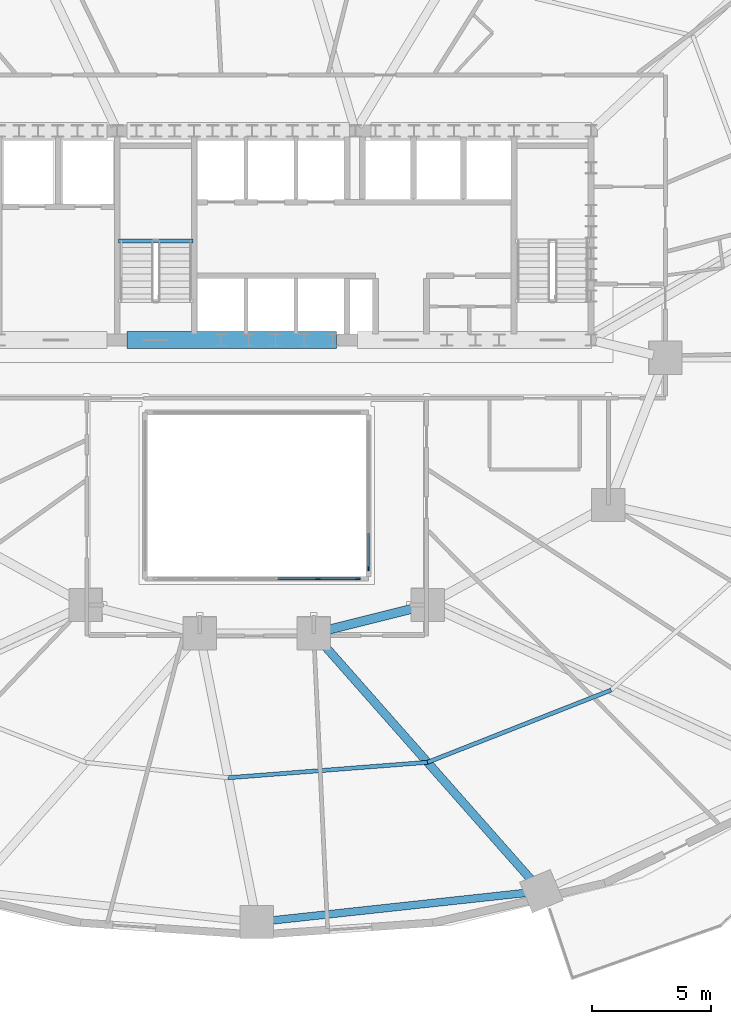
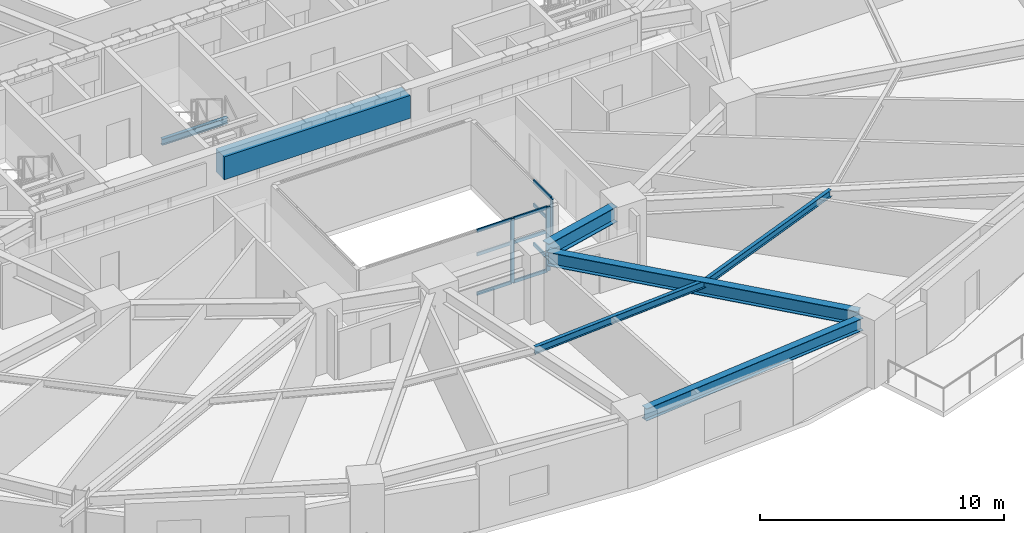
# One storey, part 5 of 17: 12 members, 7 beams, 2 elements without a shape of their own.
"""IFC4 building model written with IfcOpenShell, lengths in metres."""

import ifcopenshell
import ifcopenshell.guid

model = None  # the IFC model being written
_history = None  # IfcOwnerHistory: only IFC2X3 demands one
_inside = {}  # id of a spatial element -> (the spatial element, [elements in it])
_under = {}  # id of a project, library or spatial element -> (it, [spatial elements below it])
_declared = {}  # id of a project -> (the project, [libraries it declares])
_typed = {}  # id of a type object -> (the type object, [elements of that type])
_made_of = {}  # id of a material, layer set ... -> (it, [elements and type objects made of it])


def new_model(schema):
    """Start an empty IFC model of exactly this schema.

    Asked for "IFC4X3", IfcOpenShell would pick the latest addendum, in which some entities
    have other attributes; the version numbers below select the first issue.
    IFC2X3 requires an IfcOwnerHistory on every rooted entity: one is made here for all.
    """
    global model, _history
    if schema == "IFC4X3":
        model = ifcopenshell.file(schema_version=(4, 3, 0, 0))
    else:
        model = ifcopenshell.file(schema=schema)
    _inside.clear()
    _under.clear()
    _declared.clear()
    _typed.clear()
    _made_of.clear()
    _history = None
    if model.schema == "IFC2X3":
        org = make("IfcOrganization", Name="unknown")
        user = make(
            "IfcPersonAndOrganization",
            ThePerson=make("IfcPerson", FamilyName="unknown"),
            TheOrganization=org,
        )
        app = make(
            "IfcApplication",
            ApplicationDeveloper=org,
            Version="unknown",
            ApplicationFullName="unknown",
            ApplicationIdentifier="unknown",
        )
        _history = make(
            "IfcOwnerHistory",
            OwningUser=user,
            OwningApplication=app,
            ChangeAction="ADDED",
            CreationDate=0,
        )
    return model


def make(cls, **values):
    """One entity of the class cls with the attributes given. An attribute that is None is left unset."""
    return model.create_entity(
        cls, **{name: value for name, value in values.items() if value is not None}
    )


def rooted(cls, **values):
    """An entity with a GlobalId (a new one), such as an element, a storey or a relation."""
    return make(cls, GlobalId=ifcopenshell.guid.new(), OwnerHistory=_history, **values)


def si_unit(unit_type, name, prefix=None):
    """IfcSIUnit, for example si_unit("LENGTHUNIT", "METRE", prefix="MILLI")."""
    return make("IfcSIUnit", UnitType=unit_type, Prefix=prefix, Name=name)


def assignment(units):
    """IfcUnitAssignment: the units of a project."""
    return None if units is None else make("IfcUnitAssignment", Units=units)


def point(xyz):
    """IfcCartesianPoint."""
    return None if xyz is None else make("IfcCartesianPoint", Coordinates=xyz)


def direction(xyz):
    """IfcDirection."""
    return None if xyz is None else make("IfcDirection", DirectionRatios=xyz)


def frame(location, z_axis=None, x_axis=None):
    """IfcAxis2Placement3D, a coordinate frame: its origin and axes. An axis left out is left unset."""
    return make(
        "IfcAxis2Placement3D",
        Location=point(location),
        Axis=direction(z_axis),
        RefDirection=direction(x_axis),
    )


def frame_2d(location, x_axis=None):
    """IfcAxis2Placement2D, a coordinate frame in the plane: its origin and x axis."""
    return make(
        "IfcAxis2Placement2D", Location=point(location), RefDirection=direction(x_axis)
    )


def origin():
    """The frame at (0, 0, 0) with its axes left unset."""
    return frame((0.0, 0.0, 0.0))


def origin_2d():
    """The frame at (0, 0) in the plane with its x axis left unset."""
    return frame_2d((0.0, 0.0))


def place(relative_to, where):
    """IfcLocalPlacement: puts the frame where relative to a parent placement (None: the world)."""
    return make(
        "IfcLocalPlacement", PlacementRelTo=relative_to, RelativePlacement=where
    )


def context(
    kind, dimensions, precision=None, world=None, true_north=None, identifier=None
):
    """IfcGeometricRepresentationContext, for example the 3D "Model" context."""
    return make(
        "IfcGeometricRepresentationContext",
        ContextIdentifier=identifier,
        ContextType=kind,
        CoordinateSpaceDimension=dimensions,
        Precision=precision,
        WorldCoordinateSystem=world,
        TrueNorth=true_north,
    )


def subcontext(parent, identifier, kind, view, scale=None):
    """IfcGeometricRepresentationSubContext, for example "Body" below "Model"."""
    return make(
        "IfcGeometricRepresentationSubContext",
        ContextIdentifier=identifier,
        ContextType=kind,
        ParentContext=parent,
        TargetScale=scale,
        TargetView=view,
    )


def project(units=None, contexts=None):
    """IfcProject with its units and contexts."""
    return rooted(
        "IfcProject",
        Name="project",
        RepresentationContexts=contexts,
        UnitsInContext=assignment(units),
    )


def spatial(cls, under=None, at=None, **own):
    """A site, building, storey or space (cls), placed at a placement, below another one or the project."""
    s = rooted(cls, ObjectPlacement=at, **own)
    if under is not None:
        _under.setdefault(under.id(), (under, []))[1].append(s)
    return s


def profile(cls, at=None, kind="AREA", **sizes):
    """A parametric profile (cls). Its sizes go by their IFC names, for example OverallWidth=200.0."""
    return make(cls, ProfileType=kind, Position=at, **sizes)


def rectangle(**sizes):
    """IfcRectangleProfileDef."""
    return profile("IfcRectangleProfileDef", **sizes)


def i_section(**sizes):
    """IfcIShapeProfileDef."""
    return profile("IfcIShapeProfileDef", **sizes)


def extrude(swept, where, along, depth):
    """IfcExtrudedAreaSolid: the profile swept, set in the frame where, extruded along a direction by depth."""
    return make(
        "IfcExtrudedAreaSolid",
        SweptArea=swept,
        Position=where,
        ExtrudedDirection=direction(along),
        Depth=depth,
    )


def shape(context_of_items, identifier, shape_type, items):
    """IfcShapeRepresentation: the items that make up one representation, for example the "Body"."""
    return make(
        "IfcShapeRepresentation",
        ContextOfItems=context_of_items,
        RepresentationIdentifier=identifier,
        RepresentationType=shape_type,
        Items=items,
    )


def material(Name=None, Category=None):
    """IfcMaterial."""
    return make("IfcMaterial", Name=Name, Category=Category)


def material_profile(
    of_material, cross_section, Name=None, Category=None, Priority=None
):
    """IfcMaterialProfile: a cross section and its material."""
    return make(
        "IfcMaterialProfile",
        Name=Name,
        Material=of_material,
        Profile=cross_section,
        Priority=Priority,
        Category=Category,
    )


def profile_set(profiles, Name=None, composite=None):
    """IfcMaterialProfileSet."""
    return make(
        "IfcMaterialProfileSet",
        Name=Name,
        MaterialProfiles=profiles,
        CompositeProfile=composite,
    )


def made_of(thing, what):
    """Note that an element or type object is made of a material, layer set ...; save() writes the relation."""
    if what is not None:
        _made_of.setdefault(what.id(), (what, []))[1].append(thing)
    return thing


def type_object(cls, material=None, **own):
    """A type object (cls), such as IfcWallType, which elements share."""
    return made_of(rooted(cls, **own), material)


def element(
    cls,
    number,
    at=None,
    inside=None,
    cuts=None,
    type_object=None,
    material=None,
    context=None,
    identifier="Body",
    shape_type=None,
    held_by="IfcProductDefinitionShape",
    body=None,
    shapes=None,
    **own,
):
    """One element of the class cls, such as IfcWall. Its Tag is "e" and its number.

    at: its placement. inside: the storey or other place that contains it. cuts: it is an
    opening in that element (IfcRelVoidsElement). A single representation is given by context,
    identifier, shape_type and body (its items); several are given by shapes. held_by: the class
    of the entity that holds the representations. save() writes the other relations.
    """
    e = rooted(cls, Tag="e%d" % number, ObjectPlacement=at, **own)
    if body is not None:
        shapes = [shape(context, identifier, shape_type, body)]
    if shapes is not None:
        e.Representation = make(held_by, Representations=shapes)
    if inside is not None:
        _inside.setdefault(inside.id(), (inside, []))[1].append(e)
    if cuts is not None:
        rooted(
            "IfcRelVoidsElement", RelatingBuildingElement=cuts, RelatedOpeningElement=e
        )
    if type_object is not None:
        _typed.setdefault(type_object.id(), (type_object, []))[1].append(e)
    return made_of(e, material)


def aggregate(whole, parts):
    """IfcRelAggregates: a whole, such as a stair, and the parts it consists of."""
    return rooted("IfcRelAggregates", RelatingObject=whole, RelatedObjects=parts)


def save(model, path):
    """Write the relations noted so far, then the file.

    IfcRelAggregates (storeys below a building ...), IfcRelContainedInSpatialStructure (elements
    in a storey), IfcRelDefinesByType, IfcRelAssociatesMaterial and IfcRelDeclares: one each for
    every whole, place, type object, material and project.
    """
    for whole, parts in _under.values():
        aggregate(whole, parts)
    for where, things in _inside.values():
        rooted(
            "IfcRelContainedInSpatialStructure",
            RelatedElements=things,
            RelatingStructure=where,
        )
    for kind, things in _typed.values():
        rooted("IfcRelDefinesByType", RelatedObjects=things, RelatingType=kind)
    for what, things in _made_of.values():
        rooted("IfcRelAssociatesMaterial", RelatedObjects=things, RelatingMaterial=what)
    for by, libraries in _declared.values():
        rooted("IfcRelDeclares", RelatingContext=by, RelatedDefinitions=libraries)
    model.write(path)


model = new_model("IFC4")

# Units and contexts
model_context = context("Model", 3, precision=1e-05, world=origin(), true_north=direction((0.0, 1.0)))
body_context = subcontext(model_context, "Body", "Model", "MODEL_VIEW")
ifc_project = project(units=[si_unit("LENGTHUNIT", "METRE"), si_unit("AREAUNIT", "SQUARE_METRE"), si_unit("VOLUMEUNIT", "CUBIC_METRE"), si_unit("PLANEANGLEUNIT", "RADIAN"), si_unit("MASSUNIT", "GRAM", prefix="KILO")], contexts=[model_context])

# Site, building, storey
site_placement = place(None, origin())
site = spatial("IfcSite", under=ifc_project, at=site_placement, CompositionType="ELEMENT")
building_placement = place(site_placement, origin())
building = spatial("IfcBuilding", under=site, at=building_placement, Name="Haldorwick Loom Tower", CompositionType="ELEMENT")
storey_placement = place(building_placement, frame((0.0, 0.0, 37.800048828125)))
storey = spatial("IfcBuildingStorey", under=building, at=storey_placement, Name="L09", CompositionType="ELEMENT", Elevation=37.800048828125)

# Curtain wall, members
ifc_material_1 = material(Name="Thermally Broken Anodized Aluminium Curtain Wall Framing", Category="aluminium")
curtain_wall_type = type_object("IfcCurtainWallType", Name="ARC-CW-03", PredefinedType="NOTDEFINED", material=ifc_material_1)
curtain_wall_1_placement = place(storey_placement, origin())
curtain_wall_1 = element("IfcCurtainWall", 1, at=curtain_wall_1_placement, inside=storey, type_object=curtain_wall_type, Name="L09 Atrium Glazed Screen S", PredefinedType="NOTDEFINED")
ifc_material_profile_1 = material_profile(ifc_material_1, rectangle(XDim=0.06591796875, YDim=0.18505859375, at=origin_2d()), Name="ALU_MUL_66X185", Category="aluminium")
ifc_profile_set_1 = profile_set([ifc_material_profile_1], Name="Thermally Broken Anodized Aluminium Curtain Wall Framing")
member_type_1 = type_object("IfcMemberType", Name="ARC-CWM-03", PredefinedType="MULLION", material=ifc_profile_set_1)
member_1_placement = place(storey_placement, frame((40.26708984375, 16.699951171875, 0.0), z_axis=(0.0, 0.0, 1.0), x_axis=(0.0, -1.0, 0.0)))
member_1 = element("IfcMember", 2, at=member_1_placement, type_object=member_type_1, Name="CW-03 mullion 1", PredefinedType="MULLION", context=body_context, shape_type="SweptSolid", body=[
    extrude(rectangle(XDim=0.06591796875, YDim=0.18505859375, at=origin_2d()), origin(), (0.0, 0.0, 1.0), 3.2099609375),
])
member_2_placement = place(storey_placement, frame((38.580078125, 16.699951171875, 0.0), z_axis=(0.0, 0.0, 1.0), x_axis=(0.0, -1.0, 0.0)))
member_2 = element("IfcMember", 3, at=member_2_placement, type_object=member_type_1, Name="CW-03 mullion 2", PredefinedType="MULLION", context=body_context, shape_type="SweptSolid", body=[
    extrude(rectangle(XDim=0.06591796875, YDim=0.18505859375, at=origin_2d()), origin(), (0.0, 0.0, 1.0), 3.2099609375),
])

# Curtain wall, member
curtain_wall_2_placement = place(storey_placement, origin())
curtain_wall_2 = element("IfcCurtainWall", 4, at=curtain_wall_2_placement, inside=storey, type_object=curtain_wall_type, Name="L09 Atrium Glazed Screen E", PredefinedType="NOTDEFINED")
member_3_placement = place(storey_placement, frame((40.699951171875, 17.133056640625, 0.0), z_axis=(0.0, 0.0, 1.0), x_axis=(1.0, 0.0, 0.0)))
member_3 = element("IfcMember", 5, at=member_3_placement, type_object=member_type_1, Name="CW-03 mullion 5", PredefinedType="MULLION", context=body_context, shape_type="SweptSolid", body=[
    extrude(rectangle(XDim=0.06591796875, YDim=0.18505859375, at=origin_2d()), origin(), (0.0, 0.0, 1.0), 3.2099609375),
])

# Member
ifc_material_profile_2 = material_profile(ifc_material_1, rectangle(XDim=0.06591796875, YDim=0.1650390625, at=origin_2d()), Name="ALU_TRN_66X165", Category="aluminium")
ifc_profile_set_2 = profile_set([ifc_material_profile_2], Name="Thermally Broken Anodized Aluminium Curtain Wall Framing")
member_type_2 = type_object("IfcMemberType", Name="ARC-CWT-03", PredefinedType="USERDEFINED", material=ifc_profile_set_2)
member_4_placement = place(storey_placement, frame((40.23388671875, 16.699951171875, 0.032958984375), z_axis=(-1.0, 0.0, 0.0), x_axis=(0.0, -1.0, 0.0)))
member_4 = element("IfcMember", 6, at=member_4_placement, type_object=member_type_2, Name="CW-03 transom 1.1", ObjectType="TRANSOM", PredefinedType="USERDEFINED", context=body_context, shape_type="SweptSolid", body=[
    extrude(rectangle(XDim=0.06591796875, YDim=0.1650390625, at=origin_2d()), origin(), (0.0, 0.0, 1.0), 1.620849609375),
])

member_5_placement = place(storey_placement, frame((40.23388671875, 16.699951171875, 2.0), z_axis=(-1.0, 0.0, 0.0), x_axis=(0.0, -1.0, 0.0)))
member_5 = element("IfcMember", 7, at=member_5_placement, type_object=member_type_2, Name="CW-03 transom 1.2", ObjectType="TRANSOM", PredefinedType="USERDEFINED", context=body_context, shape_type="SweptSolid", body=[
    extrude(rectangle(XDim=0.06591796875, YDim=0.1650390625, at=origin_2d()), origin(), (0.0, 0.0, 1.0), 1.620849609375),
])

member_6_placement = place(storey_placement, frame((40.23388671875, 16.699951171875, 3.177001953125), z_axis=(-1.0, 0.0, 0.0), x_axis=(0.0, -1.0, 0.0)))
member_6 = element("IfcMember", 8, at=member_6_placement, type_object=member_type_2, Name="CW-03 transom 1.3", ObjectType="TRANSOM", PredefinedType="USERDEFINED", context=body_context, shape_type="SweptSolid", body=[
    extrude(rectangle(XDim=0.06591796875, YDim=0.1650390625, at=origin_2d()), origin(), (0.0, 0.0, 1.0), 1.620849609375),
])

member_7_placement = place(storey_placement, frame((38.547119140625, 16.699951171875, 0.032958984375), z_axis=(-1.0, 0.0, 0.0), x_axis=(0.0, -1.0, 0.0)))
member_7 = element("IfcMember", 9, at=member_7_placement, type_object=member_type_2, Name="CW-03 transom 2.1", ObjectType="TRANSOM", PredefinedType="USERDEFINED", context=body_context, shape_type="SweptSolid", body=[
    extrude(rectangle(XDim=0.06591796875, YDim=0.1650390625, at=origin_2d()), origin(), (0.0, 0.0, 1.0), 1.654052734375),
])

member_8_placement = place(storey_placement, frame((38.547119140625, 16.699951171875, 2.0), z_axis=(-1.0, 0.0, 0.0), x_axis=(0.0, -1.0, 0.0)))
member_8 = element("IfcMember", 10, at=member_8_placement, type_object=member_type_2, Name="CW-03 transom 2.2", ObjectType="TRANSOM", PredefinedType="USERDEFINED", context=body_context, shape_type="SweptSolid", body=[
    extrude(rectangle(XDim=0.06591796875, YDim=0.1650390625, at=origin_2d()), origin(), (0.0, 0.0, 1.0), 1.654052734375),
])

member_9_placement = place(storey_placement, frame((38.547119140625, 16.699951171875, 3.177001953125), z_axis=(-1.0, 0.0, 0.0), x_axis=(0.0, -1.0, 0.0)))
member_9 = element("IfcMember", 11, at=member_9_placement, type_object=member_type_2, Name="CW-03 transom 2.3", ObjectType="TRANSOM", PredefinedType="USERDEFINED", context=body_context, shape_type="SweptSolid", body=[
    extrude(rectangle(XDim=0.06591796875, YDim=0.1650390625, at=origin_2d()), origin(), (0.0, 0.0, 1.0), 1.654052734375),
])

aggregate(curtain_wall_1, [member_1, member_2, member_4, member_5, member_6, member_7, member_8, member_9])

member_10_placement = place(storey_placement, frame((40.699951171875, 18.616943359375, 0.032958984375), z_axis=(0.0, -1.0, 0.0), x_axis=(1.0, 0.0, 0.0)))
member_10 = element("IfcMember", 12, at=member_10_placement, type_object=member_type_2, Name="CW-03 transom 4.1", ObjectType="TRANSOM", PredefinedType="USERDEFINED", context=body_context, shape_type="SweptSolid", body=[
    extrude(rectangle(XDim=0.06591796875, YDim=0.1650390625, at=origin_2d()), origin(), (0.0, 0.0, 1.0), 1.450927734375),
])

member_11_placement = place(storey_placement, frame((40.699951171875, 18.616943359375, 2.0), z_axis=(0.0, -1.0, 0.0), x_axis=(1.0, 0.0, 0.0)))
member_11 = element("IfcMember", 13, at=member_11_placement, type_object=member_type_2, Name="CW-03 transom 4.2", ObjectType="TRANSOM", PredefinedType="USERDEFINED", context=body_context, shape_type="SweptSolid", body=[
    extrude(rectangle(XDim=0.06591796875, YDim=0.1650390625, at=origin_2d()), origin(), (0.0, 0.0, 1.0), 1.450927734375),
])

member_12_placement = place(storey_placement, frame((40.699951171875, 18.616943359375, 3.177001953125), z_axis=(0.0, -1.0, 0.0), x_axis=(1.0, 0.0, 0.0)))
member_12 = element("IfcMember", 14, at=member_12_placement, type_object=member_type_2, Name="CW-03 transom 4.3", ObjectType="TRANSOM", PredefinedType="USERDEFINED", context=body_context, shape_type="SweptSolid", body=[
    extrude(rectangle(XDim=0.06591796875, YDim=0.1650390625, at=origin_2d()), origin(), (0.0, 0.0, 1.0), 1.450927734375),
])

aggregate(curtain_wall_2, [member_3, member_10, member_11, member_12])

# Beams
ifc_material_2 = material(Name="Concrete C60 (60 MPa)", Category="concrete")
ifc_material_profile_3 = material_profile(ifc_material_2, rectangle(XDim=0.699951171875, YDim=1.14990234375, at=origin_2d()), Name="RC700X1150", Category="concrete")
ifc_profile_set_3 = profile_set([ifc_material_profile_3], Name="Concrete C60 (60 MPa)")
beam_type_1 = type_object("IfcBeamType", Name="STR-BM-CB1150", PredefinedType="LINTEL", material=ifc_profile_set_3)
beam_1_placement = place(storey_placement, frame((30.550048828125, 26.75, 2.635009765625), z_axis=(1.0, 0.0, 0.0), x_axis=(0.0, 1.0, 0.0)))
element("IfcBeam", 15, at=beam_1_placement, inside=storey, type_object=beam_type_1, Name="L09 Core Coupling Beam CB-S2", PredefinedType="LINTEL", context=body_context, shape_type="SweptSolid", body=[
    extrude(rectangle(XDim=0.699951171875, YDim=1.14990234375, at=origin_2d()), origin(), (0.0, 0.0, 1.0), 8.800048828125),
])
ifc_material_3 = material(Name="Steel CSA G40.21 350W", Category="steel")
ifc_material_profile_4 = material_profile(ifc_material_3, i_section(OverallWidth=0.172119140625, OverallDepth=0.35791015625, WebThickness=0.0078125, FlangeThickness=0.01318359375, at=origin_2d()), Name="W360X57", Category="steel")
ifc_profile_set_4 = profile_set([ifc_material_profile_4], Name="Steel CSA G40.21 350W")
beam_type_2 = type_object("IfcBeamType", Name="STR-BM-J360", PredefinedType="JOIST", material=ifc_profile_set_4)
beam_2_placement = place(storey_placement, frame((34.800048828125, 8.324951171875, 3.031005859375), z_axis=(0.99701252039, 0.077240107368, 0.0), x_axis=(-0.077240107368, 0.99701252039, 0.0)))
element("IfcBeam", 16, at=beam_2_placement, inside=storey, type_object=beam_type_2, Name="L09 Mid-Bay Secondary Joist 13", PredefinedType="JOIST", context=body_context, shape_type="SweptSolid", body=[
    extrude(i_section(OverallWidth=0.172119140625, OverallDepth=0.35791015625, WebThickness=0.0078125, FlangeThickness=0.01318359375, at=origin_2d()), origin(), (0.0, 0.0, 1.0), 8.4140625),
])
beam_3_placement = place(storey_placement, frame((43.18896484375, 8.974853515625, 3.031005859375), z_axis=(0.930584838237, 0.366076301941, 0.0), x_axis=(-0.366076301941, 0.930584838237, 0.0)))
element("IfcBeam", 17, at=beam_3_placement, inside=storey, type_object=beam_type_2, Name="L09 Mid-Bay Secondary Joist 14", PredefinedType="JOIST", context=body_context, shape_type="SweptSolid", body=[
    extrude(i_section(OverallWidth=0.172119140625, OverallDepth=0.35791015625, WebThickness=0.0078125, FlangeThickness=0.01318359375, at=origin_2d()), origin(), (0.0, 0.0, 1.0), 8.302490234375),
])
ifc_material_profile_5 = material_profile(ifc_material_3, i_section(OverallWidth=0.324951171875, OverallDepth=0.615966796875, WebThickness=0.013916015625, FlangeThickness=0.021484375, at=origin_2d()), Name="W610X174", Category="steel")
ifc_profile_set_5 = profile_set([ifc_material_profile_5], Name="Steel CSA G40.21 350W")
beam_type_3 = type_object("IfcBeamType", Name="STR-BM-SP610", PredefinedType="SPANDREL", material=ifc_profile_set_5)
beam_4_placement = place(storey_placement, frame((36.51708984375, 2.30615234375, 2.90185546875), z_axis=(0.994164438636, 0.107875247167, 0.0), x_axis=(-0.107875247167, 0.994164438636, 0.0)))
element("IfcBeam", 18, at=beam_4_placement, inside=storey, type_object=beam_type_3, Name="L09 Perimeter Spandrel 13", PredefinedType="SPANDREL", context=body_context, shape_type="SweptSolid", body=[
    extrude(i_section(OverallWidth=0.324951171875, OverallDepth=0.615966796875, WebThickness=0.013916015625, FlangeThickness=0.021484375, at=origin_2d()), origin(), (0.0, 0.0, 1.0), 11.008056640625),
])
ifc_material_profile_6 = material_profile(ifc_material_3, i_section(OverallWidth=0.166015625, OverallDepth=0.31298828125, WebThickness=0.006591796875, FlangeThickness=0.01123046875, at=origin_2d()), Name="W310X45", Category="steel")
ifc_profile_set_6 = profile_set([ifc_material_profile_6], Name="Steel CSA G40.21 350W")
beam_type_4 = type_object("IfcBeamType", Name="STR-BM-STRM", PredefinedType="BEAM", material=ifc_profile_set_6)
beam_5_placement = place(storey_placement, frame((30.18994140625, 30.919921875, 1.368408203125), z_axis=(1.0, 0.0, 0.0), x_axis=(0.0, 1.0, 0.0)))
element("IfcBeam", 19, at=beam_5_placement, inside=storey, type_object=beam_type_4, Name="L09 Stair ST-03 Half-Landing Trimmer 1", PredefinedType="BEAM", context=body_context, shape_type="SweptSolid", body=[
    extrude(i_section(OverallWidth=0.166015625, OverallDepth=0.31298828125, WebThickness=0.006591796875, FlangeThickness=0.01123046875, at=origin_2d()), origin(), (0.0, 0.0, 1.0), 3.1201171875),
])
ifc_material_profile_7 = material_profile(ifc_material_3, i_section(OverallWidth=0.35498046875, OverallDepth=0.695068359375, WebThickness=0.015380859375, FlangeThickness=0.02490234375, at=origin_2d()), Name="W690X217", Category="steel")
ifc_profile_set_7 = profile_set([ifc_material_profile_7], Name="Steel CSA G40.21 350W")
beam_type_5 = type_object("IfcBeamType", Name="STR-BM-W690", PredefinedType="BEAM", material=ifc_profile_set_7)
beam_6_placement = place(storey_placement, frame((38.744140625, 14.01025390625, 2.862548828125), z_axis=(0.661774304332, -0.749703121326, 0.0), x_axis=(0.749703121326, 0.661774304332, 0.0)))
element("IfcBeam", 20, at=beam_6_placement, inside=storey, type_object=beam_type_5, Name="L09 Radial Floor Girder 14", PredefinedType="BEAM", context=body_context, shape_type="SweptSolid", body=[
    extrude(i_section(OverallWidth=0.35498046875, OverallDepth=0.695068359375, WebThickness=0.015380859375, FlangeThickness=0.02490234375, at=origin_2d()), origin(), (0.0, 0.0, 1.0), 13.43310546875),
])
ifc_material_profile_8 = material_profile(ifc_material_3, i_section(OverallWidth=0.381103515625, OverallDepth=0.77294921875, WebThickness=0.0166015625, FlangeThickness=0.027587890625, at=origin_2d()), Name="W760X257", Category="steel")
ifc_profile_set_8 = profile_set([ifc_material_profile_8], Name="Steel CSA G40.21 350W")
beam_type_6 = type_object("IfcBeamType", Name="STR-BM-W760", PredefinedType="BEAM", material=ifc_profile_set_8)
beam_7_placement = place(storey_placement, frame((42.695556640625, 15.473876953125, 2.823486328125), z_axis=(-0.970142500145, -0.242535625036, 0.0), x_axis=(0.242535625036, -0.970142500145, 0.0)))
element("IfcBeam", 21, at=beam_7_placement, inside=storey, type_object=beam_type_6, Name="L09 Inner Ring Girder 4", PredefinedType="BEAM", context=body_context, shape_type="SweptSolid", body=[
    extrude(i_section(OverallWidth=0.381103515625, OverallDepth=0.77294921875, WebThickness=0.0166015625, FlangeThickness=0.027587890625, at=origin_2d()), origin(), (0.0, 0.0, 1.0), 3.90771484375),
])

save(model, "model.ifc")
